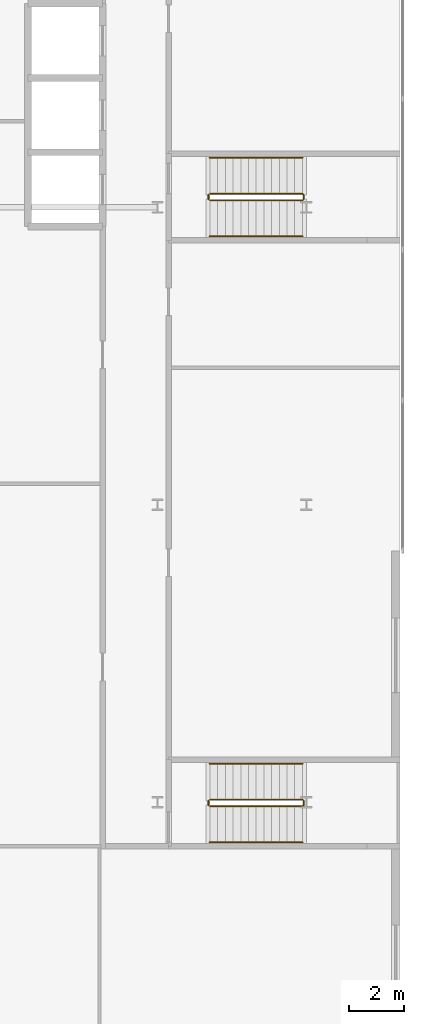
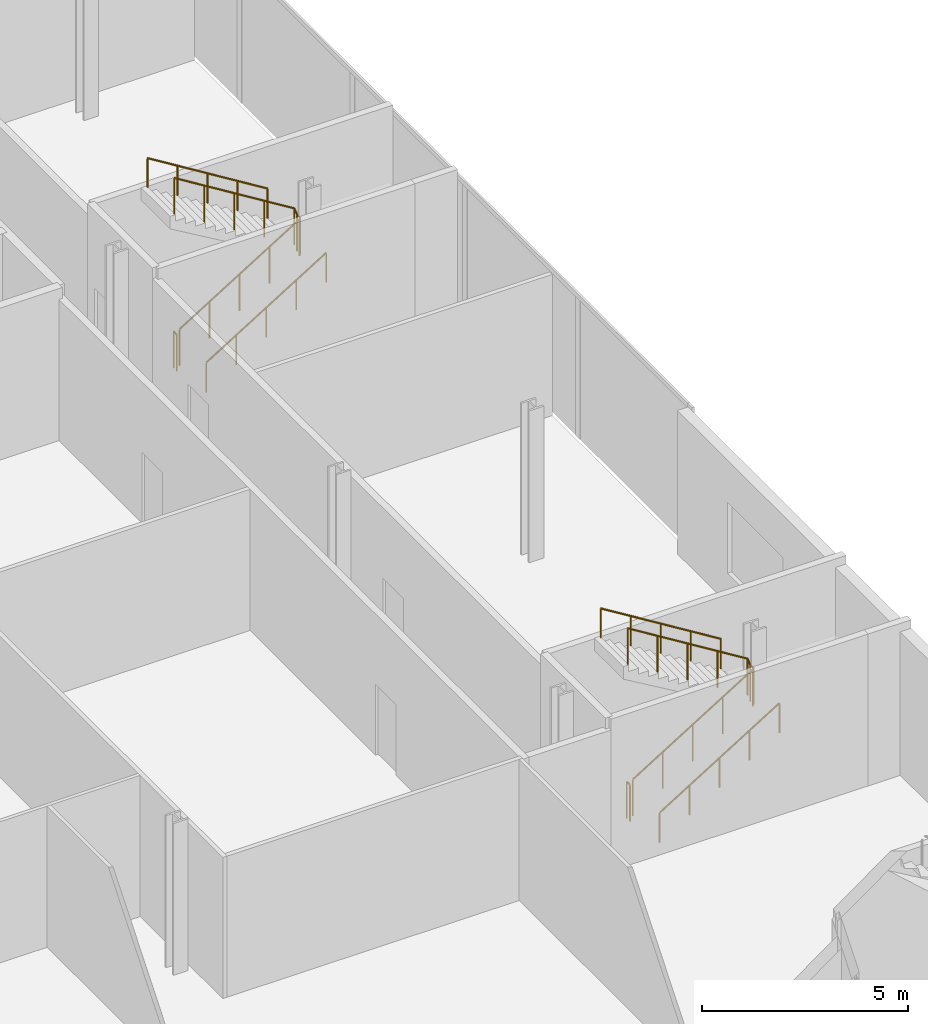
# One storey, part 44 of 47: 8 railings.
"""IFC4 building model written with IfcOpenShell, lengths in metres."""

from ifc_helpers import new_model, si_unit, direction, frame, origin, origin_2d, place, context, subcontext, project, spatial, circle, extrude, material, type_object, element, save


model = new_model("IFC4")

# Units and contexts
model_context = context("Model", 3, precision=1e-05, world=origin(), true_north=direction((0.0, 1.0)))
body_context = subcontext(model_context, "Body", "Model", "MODEL_VIEW")
ifc_project = project(units=[si_unit("LENGTHUNIT", "METRE"), si_unit("AREAUNIT", "SQUARE_METRE"), si_unit("VOLUMEUNIT", "CUBIC_METRE"), si_unit("PLANEANGLEUNIT", "RADIAN"), si_unit("MASSUNIT", "GRAM", prefix="KILO")], contexts=[model_context])

# Site, building, storey
site_placement = place(None, origin())
site = spatial("IfcSite", under=ifc_project, at=site_placement, CompositionType="ELEMENT")
building_placement = place(site_placement, origin())
building = spatial("IfcBuilding", under=site, at=building_placement, Name="Kheshtan School and Residences Tower", CompositionType="ELEMENT")
storey_placement = place(building_placement, frame((0.0, 0.0, 17.0)))
storey = spatial("IfcBuildingStorey", under=building, at=storey_placement, Name="L03", CompositionType="ELEMENT", Elevation=17.0)

# Railings
ifc_material_1 = material(Name="Stainless steel balustrade", Category="steel")
railing_type_1 = type_object("IfcRailingType", Name="Stair guard 1100", PredefinedType="GUARDRAIL", material=ifc_material_1)
railing_1_placement = place(storey_placement, frame((125.10009765625, 45.449951171875, 0.173095703125)))
element("IfcRailing", 1, at=railing_1_placement, inside=storey, type_object=railing_type_1, Name="L03 PS-124-044 stair guard 1", PredefinedType="GUARDRAIL", context=body_context, shape_type="SweptSolid", body=[
    extrude(circle(Radius=0.02392578125, at=origin_2d()), frame((0.0, 0.0, 1.076171875), z_axis=(0.850606129759, 0.0, 0.525803396734), x_axis=(0.0, 1.0, 0.0)), (0.0, 0.0, 1.0), 3.949951171875),
    extrude(circle(Radius=0.02392578125, at=origin_2d()), frame((3.35986328125, 0.0, 3.15283203125), z_axis=(0.707106781187, 0.707106781187, 0.0), x_axis=(-0.707106781187, 0.707106781187, 0.0)), (0.0, 0.0, 1.0), 0.07080078125),
    extrude(circle(Radius=0.02392578125, at=origin_2d()), frame((3.409912109375, 0.050048828125, 3.15283203125), z_axis=(0.0, 1.0, 0.0), x_axis=(-1.0, 0.0, 0.0)), (0.0, 0.0, 1.0), 0.14990234375),
    extrude(circle(Radius=0.02392578125, at=origin_2d()), frame((3.409912109375, 0.199951171875, 3.15283203125), z_axis=(-0.267629722418, 0.267629722418, 0.925607186314), x_axis=(-0.707106781187, -0.707106781187, 0.0)), (0.0, 0.0, 1.0), 0.18701171875),
    extrude(circle(Radius=0.02392578125, at=origin_2d()), frame((3.35986328125, 0.25, 3.326171875), z_axis=(-0.850606129759, 0.0, 0.525803396734), x_axis=(0.0, -1.0, 0.0)), (0.0, 0.0, 1.0), 3.949951171875),
    extrude(circle(Radius=0.02099609375, at=origin_2d()), origin(), (0.0, 0.0, 1.0), 1.052001953125),
    extrude(circle(Radius=0.02099609375, at=origin_2d()), frame((0.83984375, 0.0, 0.519287109375)), (0.0, 0.0, 1.0), 1.052001953125),
    extrude(circle(Radius=0.02099609375, at=origin_2d()), frame((1.679931640625, 0.0, 1.03857421875)), (0.0, 0.0, 1.0), 1.052001953125),
    extrude(circle(Radius=0.02099609375, at=origin_2d()), frame((2.52001953125, 0.0, 1.5576171875)), (0.0, 0.0, 1.0), 1.052001953125),
    extrude(circle(Radius=0.02099609375, at=origin_2d()), frame((3.35986328125, 0.0, 2.076904296875)), (0.0, 0.0, 1.0), 1.052001953125),
    extrude(circle(Radius=0.02099609375, at=origin_2d()), frame((3.409912109375, 0.050048828125, 2.076904296875)), (0.0, 0.0, 1.0), 1.052001953125),
    extrude(circle(Radius=0.02099609375, at=origin_2d()), frame((3.409912109375, 0.199951171875, 2.076904296875)), (0.0, 0.0, 1.0), 1.052001953125),
    extrude(circle(Radius=0.02099609375, at=origin_2d()), frame((3.35986328125, 0.25, 2.25)), (0.0, 0.0, 1.0), 1.052001953125),
    extrude(circle(Radius=0.02099609375, at=origin_2d()), frame((2.52001953125, 0.25, 2.769287109375)), (0.0, 0.0, 1.0), 1.052001953125),
    extrude(circle(Radius=0.02099609375, at=origin_2d()), frame((1.679931640625, 0.25, 3.28857421875)), (0.0, 0.0, 1.0), 1.052001953125),
    extrude(circle(Radius=0.02099609375, at=origin_2d()), frame((0.83984375, 0.25, 3.8076171875)), (0.0, 0.0, 1.0), 1.052001953125),
    extrude(circle(Radius=0.02099609375, at=origin_2d()), frame((0.0, 0.25, 4.326904296875)), (0.0, 0.0, 1.0), 1.052001953125),
])
railing_2_placement = place(storey_placement, frame((125.050048828125, 45.5, 0.0)))
element("IfcRailing", 2, at=railing_2_placement, inside=storey, type_object=railing_type_1, Name="L03 PS-124-044 stair guard 2", PredefinedType="GUARDRAIL", context=body_context, shape_type="SweptSolid", body=[
    extrude(circle(Radius=0.02392578125, at=origin_2d()), frame((0.0, 0.0, 1.076171875), z_axis=(0.0, 1.0, 0.0), x_axis=(-1.0, 0.0, 0.0)), (0.0, 0.0, 1.0), 0.14990234375),
    extrude(circle(Radius=0.02099609375, at=origin_2d()), origin(), (0.0, 0.0, 1.0), 1.052001953125),
    extrude(circle(Radius=0.02099609375, at=origin_2d()), frame((0.0, 0.14990234375, 0.0)), (0.0, 0.0, 1.0), 1.052001953125),
])
railing_3_placement = place(storey_placement, frame((125.10009765625, 67.449951171875, 0.173095703125)))
element("IfcRailing", 3, at=railing_3_placement, inside=storey, type_object=railing_type_1, Name="L03 PS-124-066 stair guard 1", PredefinedType="GUARDRAIL", context=body_context, shape_type="SweptSolid", body=[
    extrude(circle(Radius=0.02392578125, at=origin_2d()), frame((0.0, 0.0, 1.076171875), z_axis=(0.850606129759, 0.0, 0.525803396734), x_axis=(0.0, 1.0, 0.0)), (0.0, 0.0, 1.0), 3.949951171875),
    extrude(circle(Radius=0.02392578125, at=origin_2d()), frame((3.35986328125, 0.0, 3.15283203125), z_axis=(0.707106781187, 0.707106781187, 0.0), x_axis=(-0.707106781187, 0.707106781187, 0.0)), (0.0, 0.0, 1.0), 0.07080078125),
    extrude(circle(Radius=0.02392578125, at=origin_2d()), frame((3.409912109375, 0.050048828125, 3.15283203125), z_axis=(0.0, 1.0, 0.0), x_axis=(-1.0, 0.0, 0.0)), (0.0, 0.0, 1.0), 0.14990234375),
    extrude(circle(Radius=0.02392578125, at=origin_2d()), frame((3.409912109375, 0.199951171875, 3.15283203125), z_axis=(-0.267629722418, 0.267629722418, 0.925607186314), x_axis=(-0.707106781187, -0.707106781187, 0.0)), (0.0, 0.0, 1.0), 0.18701171875),
    extrude(circle(Radius=0.02392578125, at=origin_2d()), frame((3.35986328125, 0.25, 3.326171875), z_axis=(-0.850606129759, 0.0, 0.525803396734), x_axis=(0.0, -1.0, 0.0)), (0.0, 0.0, 1.0), 3.949951171875),
    extrude(circle(Radius=0.02099609375, at=origin_2d()), origin(), (0.0, 0.0, 1.0), 1.052001953125),
    extrude(circle(Radius=0.02099609375, at=origin_2d()), frame((0.83984375, 0.0, 0.519287109375)), (0.0, 0.0, 1.0), 1.052001953125),
    extrude(circle(Radius=0.02099609375, at=origin_2d()), frame((1.679931640625, 0.0, 1.03857421875)), (0.0, 0.0, 1.0), 1.052001953125),
    extrude(circle(Radius=0.02099609375, at=origin_2d()), frame((2.52001953125, 0.0, 1.5576171875)), (0.0, 0.0, 1.0), 1.052001953125),
    extrude(circle(Radius=0.02099609375, at=origin_2d()), frame((3.35986328125, 0.0, 2.076904296875)), (0.0, 0.0, 1.0), 1.052001953125),
    extrude(circle(Radius=0.02099609375, at=origin_2d()), frame((3.409912109375, 0.050048828125, 2.076904296875)), (0.0, 0.0, 1.0), 1.052001953125),
    extrude(circle(Radius=0.02099609375, at=origin_2d()), frame((3.409912109375, 0.199951171875, 2.076904296875)), (0.0, 0.0, 1.0), 1.052001953125),
    extrude(circle(Radius=0.02099609375, at=origin_2d()), frame((3.35986328125, 0.25, 2.25)), (0.0, 0.0, 1.0), 1.052001953125),
    extrude(circle(Radius=0.02099609375, at=origin_2d()), frame((2.52001953125, 0.25, 2.769287109375)), (0.0, 0.0, 1.0), 1.052001953125),
    extrude(circle(Radius=0.02099609375, at=origin_2d()), frame((1.679931640625, 0.25, 3.28857421875)), (0.0, 0.0, 1.0), 1.052001953125),
    extrude(circle(Radius=0.02099609375, at=origin_2d()), frame((0.83984375, 0.25, 3.8076171875)), (0.0, 0.0, 1.0), 1.052001953125),
    extrude(circle(Radius=0.02099609375, at=origin_2d()), frame((0.0, 0.25, 4.326904296875)), (0.0, 0.0, 1.0), 1.052001953125),
])
railing_4_placement = place(storey_placement, frame((125.050048828125, 67.5, 0.0)))
element("IfcRailing", 4, at=railing_4_placement, inside=storey, type_object=railing_type_1, Name="L03 PS-124-066 stair guard 2", PredefinedType="GUARDRAIL", context=body_context, shape_type="SweptSolid", body=[
    extrude(circle(Radius=0.02392578125, at=origin_2d()), frame((0.0, 0.0, 1.076171875), z_axis=(0.0, 1.0, 0.0), x_axis=(-1.0, 0.0, 0.0)), (0.0, 0.0, 1.0), 0.14990234375),
    extrude(circle(Radius=0.02099609375, at=origin_2d()), origin(), (0.0, 0.0, 1.0), 1.052001953125),
    extrude(circle(Radius=0.02099609375, at=origin_2d()), frame((0.0, 0.14990234375, 0.0)), (0.0, 0.0, 1.0), 1.052001953125),
])
ifc_material_2 = material(Name="Stainless steel handrail", Category="steel")
railing_type_2 = type_object("IfcRailingType", Name="Stair handrail 900", PredefinedType="HANDRAIL", material=ifc_material_2)
railing_5_placement = place(storey_placement, frame((125.10009765625, 44.14990234375, 0.173095703125)))
element("IfcRailing", 5, at=railing_5_placement, inside=storey, type_object=railing_type_2, Name="L03 PS-124-044 stair handrail 1", PredefinedType="HANDRAIL", context=body_context, shape_type="SweptSolid", body=[
    extrude(circle(Radius=0.02392578125, at=origin_2d()), frame((0.0, 0.0, 0.8759765625), z_axis=(0.850606129759, 0.0, 0.525803396734), x_axis=(0.0, 1.0, 0.0)), (0.0, 0.0, 1.0), 3.949951171875),
    extrude(circle(Radius=0.02099609375, at=origin_2d()), origin(), (0.0, 0.0, 1.0), 0.851806640625),
    extrude(circle(Radius=0.02099609375, at=origin_2d()), frame((0.83984375, 0.0, 0.519287109375)), (0.0, 0.0, 1.0), 0.851806640625),
    extrude(circle(Radius=0.02099609375, at=origin_2d()), frame((1.679931640625, 0.0, 1.03857421875)), (0.0, 0.0, 1.0), 0.851806640625),
    extrude(circle(Radius=0.02099609375, at=origin_2d()), frame((2.52001953125, 0.0, 1.5576171875)), (0.0, 0.0, 1.0), 0.851806640625),
    extrude(circle(Radius=0.02099609375, at=origin_2d()), frame((3.35986328125, 0.0, 2.076904296875)), (0.0, 0.0, 1.0), 0.851806640625),
])
railing_6_placement = place(storey_placement, frame((128.4599609375, 47.0, 2.423095703125)))
element("IfcRailing", 6, at=railing_6_placement, inside=storey, type_object=railing_type_2, Name="L03 PS-124-044 stair handrail 2", PredefinedType="HANDRAIL", context=body_context, shape_type="SweptSolid", body=[
    extrude(circle(Radius=0.02392578125, at=origin_2d()), frame((0.0, 0.0, 0.8759765625), z_axis=(-0.850606129759, 0.0, 0.525803396734), x_axis=(0.0, -1.0, 0.0)), (0.0, 0.0, 1.0), 3.949951171875),
    extrude(circle(Radius=0.02099609375, at=origin_2d()), origin(), (0.0, 0.0, 1.0), 0.851806640625),
    extrude(circle(Radius=0.02099609375, at=origin_2d()), frame((-0.83984375, 0.0, 0.519287109375)), (0.0, 0.0, 1.0), 0.851806640625),
    extrude(circle(Radius=0.02099609375, at=origin_2d()), frame((-1.679931640625, 0.0, 1.03857421875)), (0.0, 0.0, 1.0), 0.851806640625),
    extrude(circle(Radius=0.02099609375, at=origin_2d()), frame((-2.52001953125, 0.0, 1.5576171875)), (0.0, 0.0, 1.0), 0.851806640625),
    extrude(circle(Radius=0.02099609375, at=origin_2d()), frame((-3.35986328125, 0.0, 2.076904296875)), (0.0, 0.0, 1.0), 0.851806640625),
])
railing_7_placement = place(storey_placement, frame((125.10009765625, 66.14990234375, 0.173095703125)))
element("IfcRailing", 7, at=railing_7_placement, inside=storey, type_object=railing_type_2, Name="L03 PS-124-066 stair handrail 1", PredefinedType="HANDRAIL", context=body_context, shape_type="SweptSolid", body=[
    extrude(circle(Radius=0.02392578125, at=origin_2d()), frame((0.0, 0.0, 0.8759765625), z_axis=(0.850606129759, 0.0, 0.525803396734), x_axis=(0.0, 1.0, 0.0)), (0.0, 0.0, 1.0), 3.949951171875),
    extrude(circle(Radius=0.02099609375, at=origin_2d()), origin(), (0.0, 0.0, 1.0), 0.851806640625),
    extrude(circle(Radius=0.02099609375, at=origin_2d()), frame((0.83984375, 0.0, 0.519287109375)), (0.0, 0.0, 1.0), 0.851806640625),
    extrude(circle(Radius=0.02099609375, at=origin_2d()), frame((1.679931640625, 0.0, 1.03857421875)), (0.0, 0.0, 1.0), 0.851806640625),
    extrude(circle(Radius=0.02099609375, at=origin_2d()), frame((2.52001953125, 0.0, 1.5576171875)), (0.0, 0.0, 1.0), 0.851806640625),
    extrude(circle(Radius=0.02099609375, at=origin_2d()), frame((3.35986328125, 0.0, 2.076904296875)), (0.0, 0.0, 1.0), 0.851806640625),
])
railing_8_placement = place(storey_placement, frame((128.4599609375, 69.0, 2.423095703125)))
element("IfcRailing", 8, at=railing_8_placement, inside=storey, type_object=railing_type_2, Name="L03 PS-124-066 stair handrail 2", PredefinedType="HANDRAIL", context=body_context, shape_type="SweptSolid", body=[
    extrude(circle(Radius=0.02392578125, at=origin_2d()), frame((0.0, 0.0, 0.8759765625), z_axis=(-0.850606129759, 0.0, 0.525803396734), x_axis=(0.0, -1.0, 0.0)), (0.0, 0.0, 1.0), 3.949951171875),
    extrude(circle(Radius=0.02099609375, at=origin_2d()), origin(), (0.0, 0.0, 1.0), 0.851806640625),
    extrude(circle(Radius=0.02099609375, at=origin_2d()), frame((-0.83984375, 0.0, 0.519287109375)), (0.0, 0.0, 1.0), 0.851806640625),
    extrude(circle(Radius=0.02099609375, at=origin_2d()), frame((-1.679931640625, 0.0, 1.03857421875)), (0.0, 0.0, 1.0), 0.851806640625),
    extrude(circle(Radius=0.02099609375, at=origin_2d()), frame((-2.52001953125, 0.0, 1.5576171875)), (0.0, 0.0, 1.0), 0.851806640625),
    extrude(circle(Radius=0.02099609375, at=origin_2d()), frame((-3.35986328125, 0.0, 2.076904296875)), (0.0, 0.0, 1.0), 0.851806640625),
])

save(model, "model.ifc")
